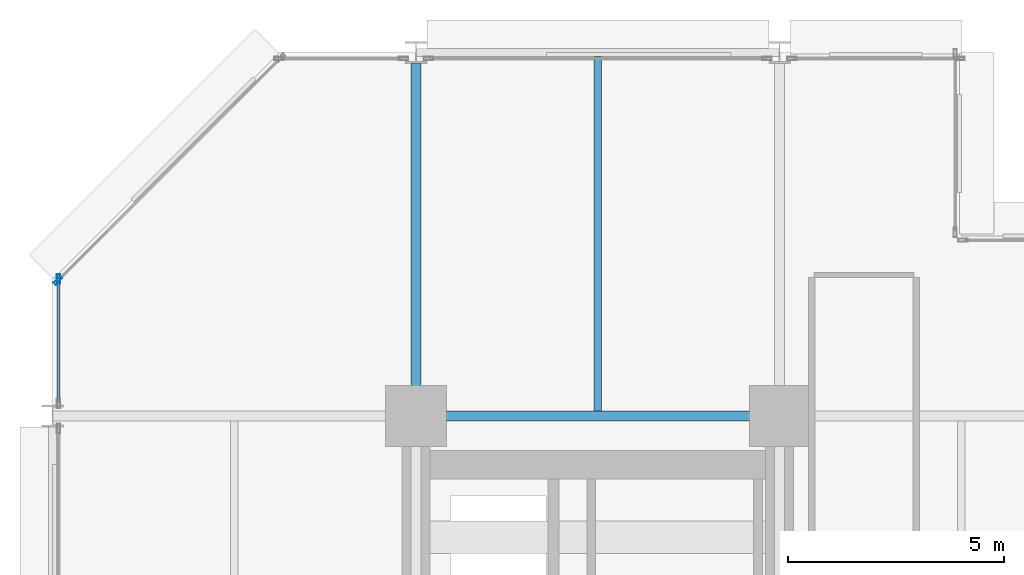
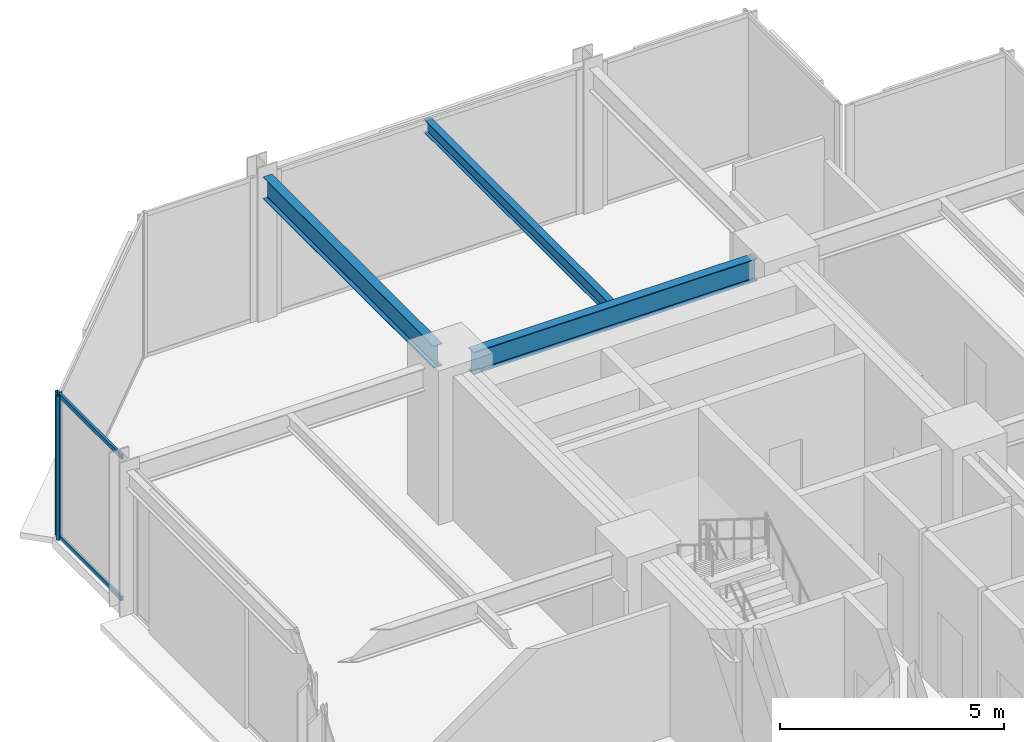
# One storey, part 15 of 25: 4 members, 3 beams, 2 elements without a shape of their own.
"""IFC4 building model written with IfcOpenShell, lengths in metres."""

from ifc_helpers import new_model, si_unit, direction, frame, origin, origin_2d, place, context, subcontext, project, spatial, hollow_rectangle, i_section, extrude, material, layer, layer_set, material_profile, profile_set, type_object, element, aggregate, save


model = new_model("IFC4")

# Units and contexts
model_context = context("Model", 3, precision=1e-05, world=origin(), true_north=direction((0.0, 1.0)))
body_context = subcontext(model_context, "Body", "Model", "MODEL_VIEW")
ifc_project = project(units=[si_unit("LENGTHUNIT", "METRE"), si_unit("AREAUNIT", "SQUARE_METRE"), si_unit("VOLUMEUNIT", "CUBIC_METRE"), si_unit("PLANEANGLEUNIT", "RADIAN"), si_unit("MASSUNIT", "GRAM", prefix="KILO")], contexts=[model_context])

# Site, building, storey
site_placement = place(None, origin())
site = spatial("IfcSite", under=ifc_project, at=site_placement, CompositionType="ELEMENT")
building_placement = place(site_placement, origin())
building = spatial("IfcBuilding", under=site, at=building_placement, Name="Nerrivon Quay Data Exchange", CompositionType="ELEMENT")
storey_placement = place(building_placement, frame((0.0, 0.0, 24.800048828125)))
storey = spatial("IfcBuildingStorey", under=building, at=storey_placement, Name="L05", CompositionType="ELEMENT", Elevation=24.800048828125)

# Beams
ifc_material_1 = material(Name="Steel Grade 350", Category="steel")
ifc_material_profile_1 = material_profile(ifc_material_1, i_section(OverallWidth=0.22900390625, OverallDepth=0.612060546875, WebThickness=0.011962890625, FlangeThickness=0.01953125, FilletRadius=0.013916015625, at=origin_2d()), Name="610UB125")
ifc_profile_set_1 = profile_set([ifc_material_profile_1], Name="Steel Grade 350")
beam_type_1 = type_object("IfcBeamType", Name="BM-G1-610UB125", PredefinedType="BEAM", material=ifc_profile_set_1)
beam_1_placement = place(storey_placement, frame((8.93994140625, 42.0, 3.618896484375), z_axis=(1.0, 0.0, 0.0), x_axis=(0.0, 1.0, 0.0)))
element("IfcBeam", 1, at=beam_1_placement, inside=storey, type_object=beam_type_1, Name="L05 EW Girder Y=42.0 (8.4..16.8)", PredefinedType="BEAM", context=body_context, shape_type="SweptSolid", body=[
    extrude(i_section(OverallWidth=0.22900390625, OverallDepth=0.612060546875, WebThickness=0.011962890625, FlangeThickness=0.01953125, FilletRadius=0.013916015625, at=origin_2d()), origin(), (0.0, 0.0, 1.0), 7.320068359375),
])
ifc_material_profile_2 = material_profile(ifc_material_1, i_section(OverallWidth=0.22802734375, OverallDepth=0.60205078125, WebThickness=0.010498046875, FlangeThickness=0.014892578125, FilletRadius=0.013916015625, at=origin_2d()), Name="610UB101")
ifc_profile_set_2 = profile_set([ifc_material_profile_2], Name="Steel Grade 350")
beam_type_2 = type_object("IfcBeamType", Name="BM-G2-610UB101", PredefinedType="BEAM", material=ifc_profile_set_2)
beam_2_placement = place(storey_placement, frame((8.39990234375, 42.5400390625, 3.6240234375), z_axis=(0.0, 1.0, 0.0), x_axis=(-1.0, 0.0, 0.0)))
element("IfcBeam", 2, at=beam_2_placement, inside=storey, type_object=beam_type_2, Name="L05 NS Girder X=8.4 (42.0..50.4)", PredefinedType="BEAM", context=body_context, shape_type="SweptSolid", body=[
    extrude(i_section(OverallWidth=0.22802734375, OverallDepth=0.60205078125, WebThickness=0.010498046875, FlangeThickness=0.014892578125, FilletRadius=0.013916015625, at=origin_2d()), origin(), (0.0, 0.0, 1.0), 7.60986328125),
])
ifc_material_profile_3 = material_profile(ifc_material_1, i_section(OverallWidth=0.172119140625, OverallDepth=0.35888671875, WebThickness=0.008056640625, FlangeThickness=0.012939453125, FilletRadius=0.011474609375, at=origin_2d()), Name="360UB56.7")
ifc_profile_set_3 = profile_set([ifc_material_profile_3], Name="Steel Grade 350")
beam_type_3 = type_object("IfcBeamType", Name="BM-J3-360UB57", PredefinedType="JOIST", material=ifc_profile_set_3)
beam_3_placement = place(storey_placement, frame((12.60009765625, 42.114501953125, 3.745361328125), z_axis=(0.0, 1.0, 0.0), x_axis=(-1.0, 0.0, 0.0)))
element("IfcBeam", 3, at=beam_3_placement, inside=storey, type_object=beam_type_3, Name="L05 Secondary Joist X=12.6 (42.0..50.4)", PredefinedType="JOIST", context=body_context, shape_type="SweptSolid", body=[
    extrude(i_section(OverallWidth=0.172119140625, OverallDepth=0.35888671875, WebThickness=0.008056640625, FlangeThickness=0.012939453125, FilletRadius=0.011474609375, at=origin_2d()), origin(), (0.0, 0.0, 1.0), 8.1904296875),
])

# Curtain wall, member
ifc_material_2 = material(Name="Anodised aluminium 6063-T6", Category="aluminium")
ifc_layer = layer(ifc_material_2, 0.219970703125)
ifc_layer_set = layer_set([ifc_layer], Name="Anodised aluminium 6063-T6")
curtain_wall_type = type_object("IfcCurtainWallType", Name="CW-SYS-01", PredefinedType="NOTDEFINED", material=ifc_layer_set)
curtain_wall_1_placement = place(storey_placement, origin())
curtain_wall_1 = element("IfcCurtainWall", 4, at=curtain_wall_1_placement, inside=storey, type_object=curtain_wall_type, Name="L05 Unitised Curtain Wall 18", PredefinedType="NOTDEFINED")
ifc_material_profile_4 = material_profile(ifc_material_2, hollow_rectangle(XDim=0.074951171875, YDim=0.219970703125, WallThickness=0.00390625, at=origin_2d()), Name="ALU-MULL-220x75")
ifc_profile_set_4 = profile_set([ifc_material_profile_4], Name="Anodised aluminium 6063-T6")
member_type_1 = type_object("IfcMemberType", Name="CWM-220x75", PredefinedType="MULLION", material=ifc_profile_set_4)
member_1_placement = place(storey_placement, frame((0.139892578125, 45.16259765625, 0.0), z_axis=(0.0, 0.0, 1.0), x_axis=(-1.0, 0.0, 0.0)))
member_1 = element("IfcMember", 5, at=member_1_placement, type_object=member_type_1, Name="CW01 mullion 2", PredefinedType="MULLION", context=body_context, shape_type="SweptSolid", body=[
    extrude(hollow_rectangle(XDim=0.074951171875, YDim=0.219970703125, WallThickness=0.00390625, at=origin_2d()), origin(), (0.0, 0.0, 1.0), 3.925048828125),
])

curtain_wall_2_placement = place(storey_placement, origin())
curtain_wall_2 = element("IfcCurtainWall", 6, at=curtain_wall_2_placement, inside=storey, type_object=curtain_wall_type, Name="L05 Unitised Curtain Wall 19", PredefinedType="NOTDEFINED")
member_2_placement = place(storey_placement, frame((0.12548828125, 45.12744140625, 0.0), z_axis=(0.0, 0.0, 1.0), x_axis=(-0.707106781187, 0.707106781187, 0.0)))
member_2 = element("IfcMember", 7, at=member_2_placement, type_object=member_type_1, Name="CW01 mullion 1", PredefinedType="MULLION", context=body_context, shape_type="SweptSolid", body=[
    extrude(hollow_rectangle(XDim=0.074951171875, YDim=0.219970703125, WallThickness=0.00390625, at=origin_2d()), origin(), (0.0, 0.0, 1.0), 3.925048828125),
])
aggregate(curtain_wall_2, [member_2])

# Member
ifc_material_profile_5 = material_profile(ifc_material_2, hollow_rectangle(XDim=0.06005859375, YDim=0.1201171875, WallThickness=0.003173828125, at=origin_2d()), Name="ALU-TRAN-120x60")
ifc_profile_set_5 = profile_set([ifc_material_profile_5], Name="Anodised aluminium 6063-T6")
member_type_2 = type_object("IfcMemberType", Name="CWT-120x60", PredefinedType="USERDEFINED", material=ifc_profile_set_5)
member_3_placement = place(storey_placement, frame((0.139892578125, 42.324951171875, 0.032470703125), z_axis=(0.0, 1.0, 0.0), x_axis=(-1.0, 0.0, 0.0)))
member_3 = element("IfcMember", 8, at=member_3_placement, type_object=member_type_2, Name="CW01 transom 1.1", ObjectType="TRANSOM", PredefinedType="USERDEFINED", context=body_context, shape_type="SweptSolid", body=[
    extrude(hollow_rectangle(XDim=0.06005859375, YDim=0.1201171875, WallThickness=0.003173828125, at=origin_2d()), origin(), (0.0, 0.0, 1.0), 2.800048828125),
])

member_4_placement = place(storey_placement, frame((0.139892578125, 42.324951171875, 3.892333984375), z_axis=(0.0, 1.0, 0.0), x_axis=(-1.0, 0.0, 0.0)))
member_4 = element("IfcMember", 9, at=member_4_placement, type_object=member_type_2, Name="CW01 transom 1.2", ObjectType="TRANSOM", PredefinedType="USERDEFINED", context=body_context, shape_type="SweptSolid", body=[
    extrude(hollow_rectangle(XDim=0.06005859375, YDim=0.1201171875, WallThickness=0.003173828125, at=origin_2d()), origin(), (0.0, 0.0, 1.0), 2.800048828125),
])

aggregate(curtain_wall_1, [member_1, member_3, member_4])

save(model, "model.ifc")
